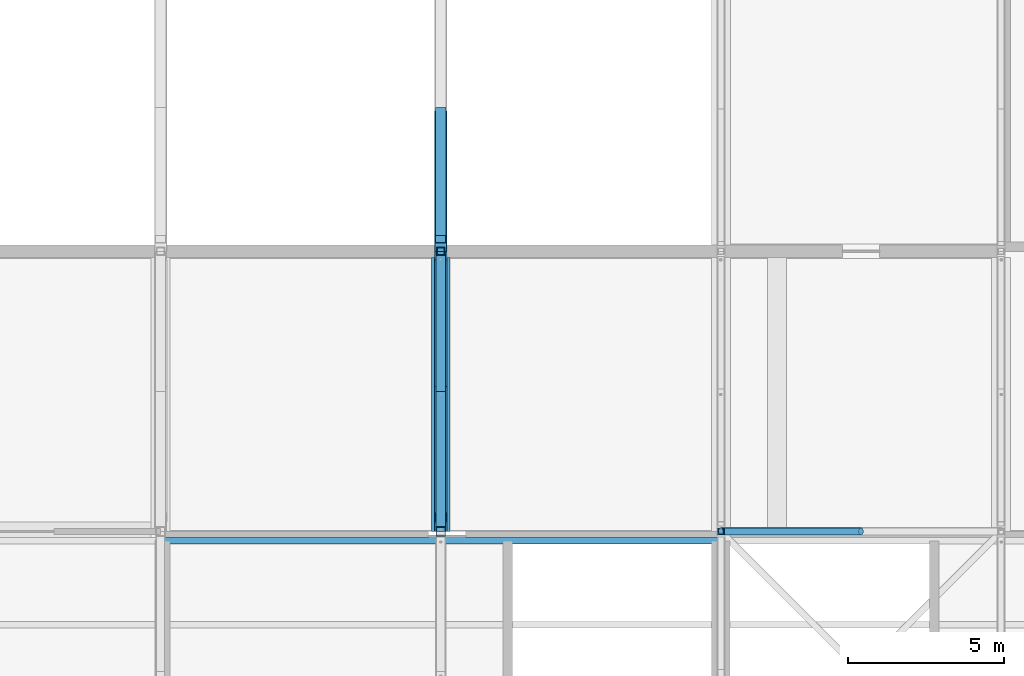
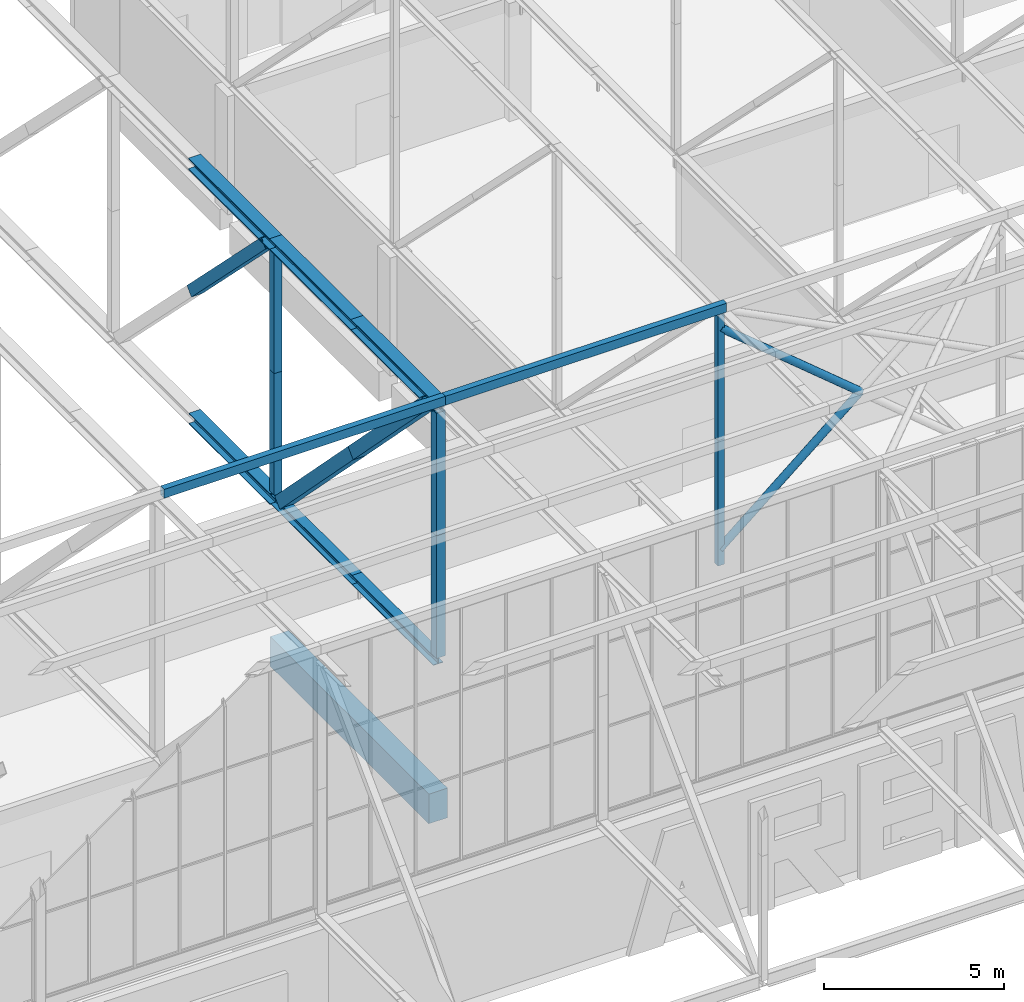
# One storey, part 41 of 646: 19 members, 1 beam.
"""IFC4 building model written with IfcOpenShell, lengths in metres."""

from ifc_helpers import new_model, si_unit, direction, frame, origin, origin_2d, place, context, subcontext, project, spatial, rectangle, hollow_rectangle, hollow_circle, i_section, extrude, material, material_profile, profile_set, type_object, element, save


model = new_model("IFC4")

# Units and contexts
model_context = context("Model", 3, precision=1e-05, world=origin(), true_north=direction((0.0, 1.0)))
body_context = subcontext(model_context, "Body", "Model", "MODEL_VIEW")
ifc_project = project(units=[si_unit("LENGTHUNIT", "METRE"), si_unit("AREAUNIT", "SQUARE_METRE"), si_unit("VOLUMEUNIT", "CUBIC_METRE"), si_unit("PLANEANGLEUNIT", "RADIAN"), si_unit("MASSUNIT", "GRAM", prefix="KILO")], contexts=[model_context])

# Site, building, storey
site_placement = place(None, origin())
site = spatial("IfcSite", under=ifc_project, at=site_placement, CompositionType="ELEMENT")
building_placement = place(site_placement, origin())
building = spatial("IfcBuilding", under=site, at=building_placement, Name="Silverbay Arena", CompositionType="ELEMENT")
storey_placement = place(building_placement, frame((0.0, 0.0, 33.5)))
storey = spatial("IfcBuildingStorey", under=building, at=storey_placement, Name="L05", CompositionType="ELEMENT", Elevation=33.5)

# Members
ifc_material_1 = material(Name="Steel S355", Category="steel")
ifc_material_profile_1 = material_profile(ifc_material_1, i_section(OverallWidth=0.311279296875, OverallDepth=0.3271484375, WebThickness=0.015869140625, FlangeThickness=0.02490234375, at=origin_2d()), Name="UC 305x305x158")
ifc_profile_set_1 = profile_set([ifc_material_profile_1], Name="Steel S355")
member_type_1 = type_object("IfcMemberType", Name="Main-span bottom chord UC 305x305x158", PredefinedType="CHORD", material=ifc_profile_set_1)
for number, where, z_axis, x_axis, name in (
    (1, (153.0, 27.0, 4.16357421875), (0.0, 1.0, 0.0), (-1.0, 0.0, 0.0), "ROOF TRUSS 18 bottom chord 03a"),
    (2, (153.0, 31.5, 4.16357421875), (0.0, 1.0, 0.0), (-1.0, 0.0, 0.0), "ROOF TRUSS 18 bottom chord 03b"),
):
    element("IfcMember", number, at=place(storey_placement, frame(where, z_axis=z_axis, x_axis=x_axis)), inside=storey, type_object=member_type_1, Name=name, PredefinedType="CHORD", context=body_context, shape_type="SweptSolid", body=[
        extrude(i_section(OverallWidth=0.311279296875, OverallDepth=0.3271484375, WebThickness=0.015869140625, FlangeThickness=0.02490234375, at=origin_2d()), origin(), (0.0, 0.0, 1.0), 4.5),
    ])
ifc_material_2 = material(Name="Steel S355", Category="steel")
ifc_material_profile_2 = material_profile(ifc_material_2, i_section(OverallWidth=0.37255859375, OverallDepth=0.3681640625, WebThickness=0.014404296875, FlangeThickness=0.023681640625, at=origin_2d()), Name="UC 356x368x177")
ifc_profile_set_2 = profile_set([ifc_material_profile_2], Name="Steel S355")
member_type_2 = type_object("IfcMemberType", Name="Main-span bottom chord UC 356x368x177", PredefinedType="CHORD", material=ifc_profile_set_2)
member_1_placement = place(storey_placement, frame((153.0, 36.0, 4.18408203125), z_axis=(0.0, 1.0, 0.0), x_axis=(-1.0, 0.0, 0.0)))
element("IfcMember", 3, at=member_1_placement, inside=storey, type_object=member_type_2, Name="ROOF TRUSS 18 bottom chord 04a", PredefinedType="CHORD", context=body_context, shape_type="SweptSolid", body=[
    extrude(i_section(OverallWidth=0.37255859375, OverallDepth=0.3681640625, WebThickness=0.014404296875, FlangeThickness=0.023681640625, at=origin_2d()), origin(), (0.0, 0.0, 1.0), 4.5),
])
ifc_material_3 = material(Name="Steel S355", Category="steel")
ifc_material_profile_3 = material_profile(ifc_material_3, i_section(OverallWidth=0.394775390625, OverallDepth=0.381103515625, WebThickness=0.018310546875, FlangeThickness=0.0302734375, at=origin_2d()), Name="UC 356x406x235")
ifc_profile_set_3 = profile_set([ifc_material_profile_3], Name="Steel S355")
member_type_3 = type_object("IfcMemberType", Name="Main-span top chord UC 356x406x235", PredefinedType="CHORD", material=ifc_profile_set_3)
for number, where, z_axis, x_axis, name in (
    (4, (153.0, 27.0, 12.8095703125), (0.0, 1.0, 0.0), (-1.0, 0.0, 0.0), "ROOF TRUSS 18 top chord 03a"),
    (5, (153.0, 31.5, 12.8095703125), (0.0, 1.0, 0.0), (-1.0, 0.0, 0.0), "ROOF TRUSS 18 top chord 03b"),
):
    element("IfcMember", number, at=place(storey_placement, frame(where, z_axis=z_axis, x_axis=x_axis)), inside=storey, type_object=member_type_3, Name=name, PredefinedType="CHORD", context=body_context, shape_type="SweptSolid", body=[
        extrude(i_section(OverallWidth=0.394775390625, OverallDepth=0.381103515625, WebThickness=0.018310546875, FlangeThickness=0.0302734375, at=origin_2d()), origin(), (0.0, 0.0, 1.0), 4.5),
    ])
ifc_material_4 = material(Name="Steel S355", Category="steel")
ifc_material_profile_4 = material_profile(ifc_material_4, i_section(OverallWidth=0.39892578125, OverallDepth=0.3935546875, WebThickness=0.022705078125, FlangeThickness=0.03662109375, at=origin_2d()), Name="UC 356x406x287")
ifc_profile_set_4 = profile_set([ifc_material_profile_4], Name="Steel S355")
member_type_4 = type_object("IfcMemberType", Name="Main-span top chord UC 356x406x287", PredefinedType="CHORD", material=ifc_profile_set_4)
member_2_placement = place(storey_placement, frame((153.0, 36.0, 12.80322265625), z_axis=(0.0, 1.0, 0.0), x_axis=(-1.0, 0.0, 0.0)))
element("IfcMember", 6, at=member_2_placement, inside=storey, type_object=member_type_4, Name="ROOF TRUSS 18 top chord 04a", PredefinedType="CHORD", context=body_context, shape_type="SweptSolid", body=[
    extrude(i_section(OverallWidth=0.39892578125, OverallDepth=0.3935546875, WebThickness=0.022705078125, FlangeThickness=0.03662109375, at=origin_2d()), origin(), (0.0, 0.0, 1.0), 4.5),
])
ifc_material_5 = material(Name="Steel S355", Category="steel")
ifc_material_profile_5 = material_profile(ifc_material_5, hollow_rectangle(XDim=0.35009765625, YDim=0.35009765625, WallThickness=0.01416015625, at=origin_2d()), Name="SHS 350x350x14.2")
ifc_profile_set_5 = profile_set([ifc_material_profile_5], Name="Steel S355")
member_type_5 = type_object("IfcMemberType", Name="Main-span truss diagonal SHS 350x350x14.2", PredefinedType="BRACE", material=ifc_profile_set_5)
member_3_placement = place(storey_placement, frame((153.0, 36.38916015625, 12.6064453125), z_axis=(0.0, 0.706393232016, -0.707819611033), x_axis=(-1.0, 0.0, 0.0)))
element("IfcMember", 7, at=member_3_placement, inside=storey, type_object=member_type_5, Name="ROOF TRUSS 18 diagonal 04a", PredefinedType="BRACE", context=body_context, shape_type="SweptSolid", body=[
    extrude(hollow_rectangle(XDim=0.35009765625, YDim=0.35009765625, WallThickness=0.01416015625, at=origin_2d()), origin(), (0.0, 0.0, 1.0), 5.819580078125),
])
ifc_material_6 = material(Name="Steel S355", Category="steel")
ifc_material_profile_6 = material_profile(ifc_material_6, hollow_rectangle(XDim=0.39990234375, YDim=0.39990234375, WallThickness=0.01416015625, at=origin_2d()), Name="SHS 400x400x14.2")
ifc_profile_set_6 = profile_set([ifc_material_profile_6], Name="Steel S355")
member_type_6 = type_object("IfcMemberType", Name="Main-span truss diagonal SHS 400x400x14.2", PredefinedType="BRACE", material=ifc_profile_set_6)
member_4_placement = place(storey_placement, frame((153.0, 27.445068359375, 12.618896484375), z_axis=(0.0, 0.700113450325, -0.71403162162), x_axis=(-1.0, 0.0, 0.0)))
element("IfcMember", 8, at=member_4_placement, inside=storey, type_object=member_type_6, Name="ROOF TRUSS 18 diagonal 03a", PredefinedType="BRACE", context=body_context, shape_type="SweptSolid", body=[
    extrude(hollow_rectangle(XDim=0.39990234375, YDim=0.39990234375, WallThickness=0.01416015625, at=origin_2d()), origin(), (0.0, 0.0, 1.0), 5.80615234375),
])
member_5_placement = place(storey_placement, frame((153.0, 31.510009765625, 8.47314453125), z_axis=(0.0, 0.700092430298, -0.714052231311), x_axis=(-1.0, 0.0, 0.0)))
element("IfcMember", 9, at=member_5_placement, inside=storey, type_object=member_type_6, Name="ROOF TRUSS 18 diagonal 03b", PredefinedType="BRACE", context=body_context, shape_type="SweptSolid", body=[
    extrude(hollow_rectangle(XDim=0.39990234375, YDim=0.39990234375, WallThickness=0.01416015625, at=origin_2d()), origin(), (0.0, 0.0, 1.0), 5.806396484375),
])
ifc_material_7 = material(Name="Steel S355", Category="steel")
ifc_material_profile_7 = material_profile(ifc_material_7, hollow_rectangle(XDim=0.260009765625, YDim=0.260009765625, WallThickness=0.012451171875, at=origin_2d()), Name="SHS 260x260x12.5")
ifc_profile_set_7 = profile_set([ifc_material_profile_7], Name="Steel S355")
member_type_7 = type_object("IfcMemberType", Name="Main-span truss vertical SHS 260x260x12.5", PredefinedType="STRUT", material=ifc_profile_set_7)
for number, where, z_axis, x_axis, name in (
    (10, (153.0, 36.0, 4.3681640625), (0.0, 0.0, 1.0), (1.0, 0.0, 0.0), "ROOF TRUSS 18 vertical 04a"),
    (11, (153.0, 36.0, 8.4873046875), (0.0, 0.0, 1.0), (1.0, 0.0, 0.0), "ROOF TRUSS 18 vertical 04b"),
):
    element("IfcMember", number, at=place(storey_placement, frame(where, z_axis=z_axis, x_axis=x_axis)), inside=storey, type_object=member_type_7, Name=name, PredefinedType="STRUT", context=body_context, shape_type="SweptSolid", body=[
        extrude(hollow_rectangle(XDim=0.260009765625, YDim=0.260009765625, WallThickness=0.012451171875, at=origin_2d()), origin(), (0.0, 0.0, 1.0), 4.119140625),
    ])
ifc_material_8 = material(Name="Steel S355", Category="steel")
ifc_material_profile_8 = material_profile(ifc_material_8, hollow_rectangle(XDim=0.300048828125, YDim=0.300048828125, WallThickness=0.012451171875, at=origin_2d()), Name="SHS 300x300x12.5")
ifc_profile_set_8 = profile_set([ifc_material_profile_8], Name="Steel S355")
member_type_8 = type_object("IfcMemberType", Name="Main-span truss vertical SHS 300x300x12.5", PredefinedType="STRUT", material=ifc_profile_set_8)
member_6_placement = place(storey_placement, frame((153.0, 27.0, 4.3271484375), z_axis=(0.0, 0.0, 1.0), x_axis=(1.0, 0.0, 0.0)))
element("IfcMember", 12, at=member_6_placement, inside=storey, type_object=member_type_8, Name="ROOF TRUSS 18 vertical 03a", PredefinedType="STRUT", context=body_context, shape_type="SweptSolid", body=[
    extrude(hollow_rectangle(XDim=0.300048828125, YDim=0.300048828125, WallThickness=0.012451171875, at=origin_2d()), origin(), (0.0, 0.0, 1.0), 4.14599609375),
])
member_7_placement = place(storey_placement, frame((153.0, 27.0, 8.47314453125), z_axis=(0.0, 0.0, 1.0), x_axis=(1.0, 0.0, 0.0)))
element("IfcMember", 13, at=member_7_placement, inside=storey, type_object=member_type_8, Name="ROOF TRUSS 18 vertical 03b", PredefinedType="STRUT", context=body_context, shape_type="SweptSolid", body=[
    extrude(hollow_rectangle(XDim=0.300048828125, YDim=0.300048828125, WallThickness=0.012451171875, at=origin_2d()), origin(), (0.0, 0.0, 1.0), 4.145751953125),
])
ifc_material_9 = material(Name="Steel S355", Category="steel")
ifc_material_profile_9 = material_profile(ifc_material_9, hollow_rectangle(XDim=0.199951171875, YDim=0.199951171875, WallThickness=0.008056640625, at=origin_2d()), Name="SHS 200x200x8")
ifc_profile_set_9 = profile_set([ifc_material_profile_9], Name="Steel S355")
member_type_9 = type_object("IfcMemberType", Name="Medium-span truss vertical SHS 200x200x8", PredefinedType="STRUT", material=ifc_profile_set_9)
for number, where, z_axis, x_axis, name in (
    (14, (162.0, 27.0, 4.254150390625), (0.0, 0.0, 1.0), (1.0, 0.0, 0.0), "ROOF TRUSS 19 vertical 03a"),
    (15, (162.0, 27.0, 8.5), (0.0, 0.0, 1.0), (1.0, 0.0, 0.0), "ROOF TRUSS 19 vertical 03b"),
):
    element("IfcMember", number, at=place(storey_placement, frame(where, z_axis=z_axis, x_axis=x_axis)), inside=storey, type_object=member_type_9, Name=name, PredefinedType="STRUT", context=body_context, shape_type="SweptSolid", body=[
        extrude(hollow_rectangle(XDim=0.199951171875, YDim=0.199951171875, WallThickness=0.008056640625, at=origin_2d()), origin(), (0.0, 0.0, 1.0), 4.245849609375),
    ])
ifc_material_10 = material(Name="Steel S355", Category="steel")
ifc_material_profile_10 = material_profile(ifc_material_10, hollow_rectangle(XDim=0.199951171875, YDim=0.300048828125, WallThickness=0.00634765625, at=origin_2d()), Name="RHS 300x200x6.3")
ifc_profile_set_10 = profile_set([ifc_material_profile_10], Name="Steel S355")
member_type_10 = type_object("IfcMemberType", Name="Purlin RHS 300x200x6.3", PredefinedType="PURLIN", material=ifc_profile_set_10)
for number, where, z_axis, x_axis, name in (
    (16, (144.0, 26.699951171875, 13.14990234375), (1.0, 0.0, 0.0), (0.0, 1.0, 0.0), "ROOF PURLIN crown rim south 17-18"),
    (17, (153.0, 26.699951171875, 13.14990234375), (1.0, 0.0, 0.0), (0.0, 1.0, 0.0), "ROOF PURLIN crown rim south 18-19"),
):
    element("IfcMember", number, at=place(storey_placement, frame(where, z_axis=z_axis, x_axis=x_axis)), inside=storey, type_object=member_type_10, Name=name, PredefinedType="PURLIN", context=body_context, shape_type="SweptSolid", body=[
        extrude(hollow_rectangle(XDim=0.199951171875, YDim=0.300048828125, WallThickness=0.00634765625, at=origin_2d()), origin(), (0.0, 0.0, 1.0), 9.0),
    ])

# Beam
ifc_material_11 = material(Name="Concrete Grade C45", Category="concrete")
ifc_material_profile_11 = material_profile(ifc_material_11, rectangle(XDim=0.60009765625, YDim=1.0, at=origin_2d()), Name="RC 600x1000")
ifc_profile_set_11 = profile_set([ifc_material_profile_11], Name="Concrete Grade C45")
beam_type = type_object("IfcBeamType", Name="RC beam 600x1000", PredefinedType="BEAM", material=ifc_profile_set_11)
beam_placement = place(storey_placement, frame((153.0, 27.0, -0.800048828125), z_axis=(0.0, 1.0, 0.0), x_axis=(-1.0, 0.0, 0.0)))
element("IfcBeam", 18, at=beam_placement, inside=storey, type_object=beam_type, Name="Floor beam L05 119", PredefinedType="BEAM", context=body_context, shape_type="SweptSolid", body=[
    extrude(rectangle(XDim=0.60009765625, YDim=1.0, at=origin_2d()), origin(), (0.0, 0.0, 1.0), 8.800048828125),
])

# Members
ifc_material_12 = material(Name="Steel S355", Category="steel")
ifc_material_profile_12 = material_profile(ifc_material_12, hollow_circle(Radius=0.122314453125, WallThickness=0.00634765625, at=origin_2d()), Name="CHS 244.5x6.3")
ifc_profile_set_12 = profile_set([ifc_material_profile_12], Name="Steel S355")
member_type_11 = type_object("IfcMemberType", Name="Vertical bracing CHS 244.5x6.3", PredefinedType="BRACE", material=ifc_profile_set_12)
for number, where, z_axis, x_axis, name in (
    (19, (162.0, 27.0, 4.754150390625), (0.768569784798, 0.0, 0.639765961814), (0.0, 1.0, 0.0), "ROOF BRACING vertical 19-20 line 03 Aa"),
    (20, (162.0, 27.0, 12.245849609375), (0.768569784798, 0.0, -0.639765961814), (0.0, 1.0, 0.0), "ROOF BRACING vertical 19-20 line 03 Ba"),
):
    element("IfcMember", number, at=place(storey_placement, frame(where, z_axis=z_axis, x_axis=x_axis)), inside=storey, type_object=member_type_11, Name=name, PredefinedType="BRACE", context=body_context, shape_type="SweptSolid", body=[
        extrude(hollow_circle(Radius=0.122314453125, WallThickness=0.00634765625, at=origin_2d()), origin(), (0.0, 0.0, 1.0), 5.85498046875),
    ])

save(model, "model.ifc")
